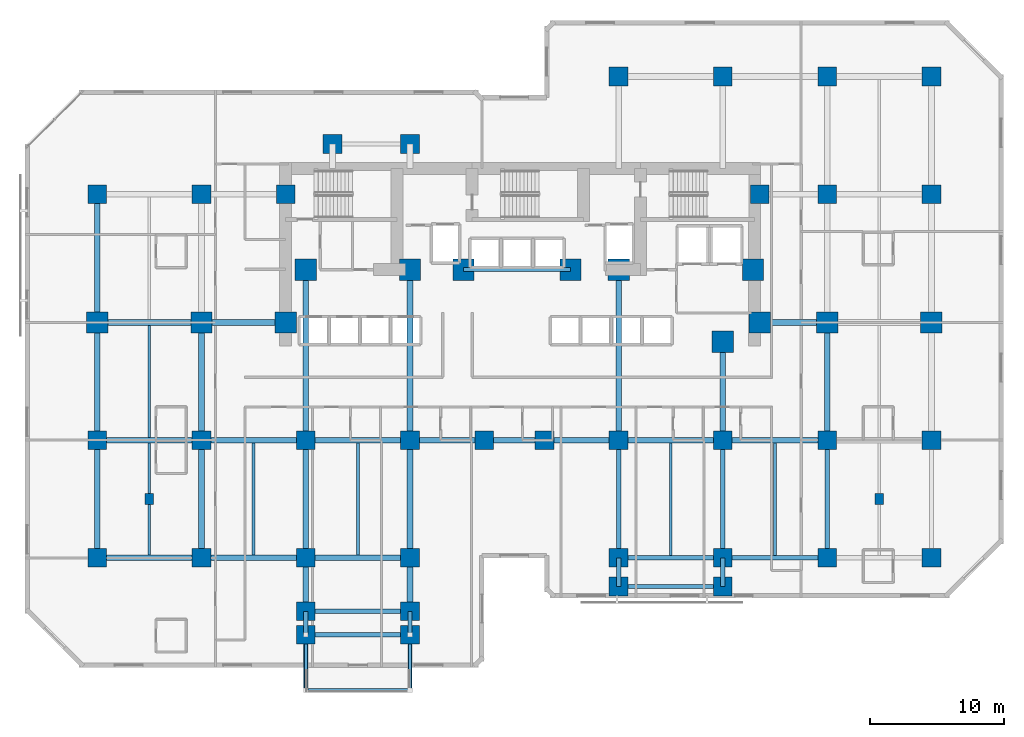
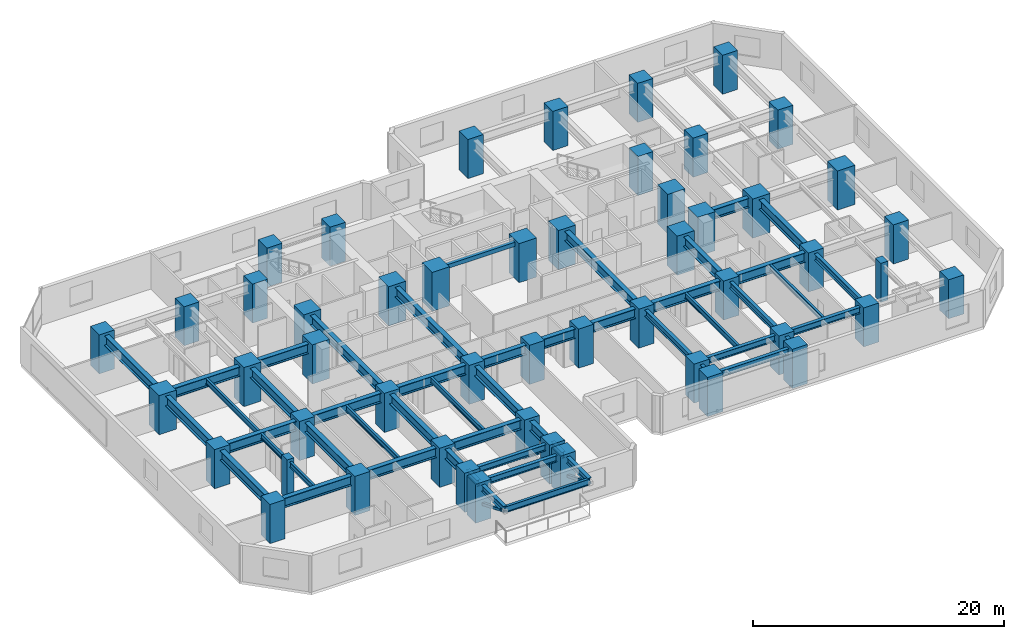
# One storey, part 1 of 12: 51 columns, 50 beams, 2 members.
"""IFC4 building model written with IfcOpenShell, lengths in metres."""

from ifc_helpers import new_model, si_unit, direction, frame, origin, origin_2d, place, context, subcontext, project, spatial, rectangle, hollow_rectangle, i_section, extrude, material, material_profile, profile_set, type_object, element, save


model = new_model("IFC4")

# Units and contexts
model_context = context("Model", 3, precision=1e-05, world=origin(), true_north=direction((0.0, 1.0)))
body_context = subcontext(model_context, "Body", "Model", "MODEL_VIEW")
ifc_project = project(units=[si_unit("LENGTHUNIT", "METRE"), si_unit("AREAUNIT", "SQUARE_METRE"), si_unit("VOLUMEUNIT", "CUBIC_METRE"), si_unit("PLANEANGLEUNIT", "RADIAN"), si_unit("MASSUNIT", "GRAM", prefix="KILO")], contexts=[model_context])

# Site, building, storey
site_placement = place(None, origin())
site = spatial("IfcSite", under=ifc_project, at=site_placement, CompositionType="ELEMENT")
building_placement = place(site_placement, origin())
building = spatial("IfcBuilding", under=site, at=building_placement, Name="Kestravale Grand Hotel", CompositionType="ELEMENT")
storey_placement = place(building_placement, frame((0.0, 0.0, 33.60009765625)))
storey = spatial("IfcBuildingStorey", under=building, at=storey_placement, Name="L07", CompositionType="ELEMENT", Elevation=33.60009765625)

# Columns
ifc_material_1 = material(Name="Concrete f'c 70 MPa", Category="concrete")
ifc_material_profile_1 = material_profile(ifc_material_1, rectangle(XDim=1.39990234375, YDim=1.39990234375, at=origin_2d()))
ifc_profile_set_1 = profile_set([ifc_material_profile_1], Name="Concrete f'c 70 MPa")
column_type_1 = type_object("IfcColumnType", Name="C-Z1-1400", PredefinedType="COLUMN", material=ifc_profile_set_1)
for number, where, z_axis, x_axis, name in (
    (1, (7.800048828125, 11.199951171875, 0.0), (0.0, 0.0, 1.0), (1.0, 0.0, 0.0), "L07 column 2-C"),
    (2, (7.800048828125, 20.0, 0.0), (0.0, 0.0, 1.0), (1.0, 0.0, 0.0), "L07 column 2-D"),
    (3, (7.800048828125, 38.39990234375, 0.0), (0.0, 0.0, 1.0), (1.0, 0.0, 0.0), "L07 column 2-F"),
    (4, (15.60009765625, 11.199951171875, 0.0), (0.0, 0.0, 1.0), (1.0, 0.0, 0.0), "L07 column 3-C"),
    (5, (15.60009765625, 20.0, 0.0), (0.0, 0.0, 1.0), (1.0, 0.0, 0.0), "L07 column 3-D"),
    (6, (15.60009765625, 38.39990234375, 0.0), (0.0, 0.0, 1.0), (1.0, 0.0, 0.0), "L07 column 3-F"),
    (7, (23.39990234375, 11.199951171875, 0.0), (0.0, 0.0, 1.0), (1.0, 0.0, 0.0), "L07 column 4-C"),
    (8, (23.39990234375, 20.0, 0.0), (0.0, 0.0, 1.0), (1.0, 0.0, 0.0), "L07 column 4-D"),
    (9, (31.199951171875, 11.199951171875, 0.0), (0.0, 0.0, 1.0), (1.0, 0.0, 0.0), "L07 column 5-C"),
    (10, (31.199951171875, 20.0, 0.0), (0.0, 0.0, 1.0), (1.0, 0.0, 0.0), "L07 column 5-D"),
    (11, (36.75, 20.0, 0.0), (0.0, 0.0, 1.0), (1.0, 0.0, 0.0), "L07 column 6-D"),
    (12, (41.25, 20.0, 0.0), (0.0, 0.0, 1.0), (1.0, 0.0, 0.0), "L07 column 7-D"),
    (13, (46.800048828125, 11.199951171875, 0.0), (0.0, 0.0, 1.0), (1.0, 0.0, 0.0), "L07 column 8-C"),
    (14, (46.800048828125, 20.0, 0.0), (0.0, 0.0, 1.0), (1.0, 0.0, 0.0), "L07 column 8-D"),
    (15, (46.800048828125, 47.199951171875, 0.0), (0.0, 0.0, 1.0), (1.0, 0.0, 0.0), "L07 column 8-G"),
    (16, (54.60009765625, 11.199951171875, 0.0), (0.0, 0.0, 1.0), (1.0, 0.0, 0.0), "L07 column 9-C"),
    (17, (54.60009765625, 20.0, 0.0), (0.0, 0.0, 1.0), (1.0, 0.0, 0.0), "L07 column 9-D"),
    (18, (54.60009765625, 47.199951171875, 0.0), (0.0, 0.0, 1.0), (1.0, 0.0, 0.0), "L07 column 9-G"),
    (19, (62.39990234375, 11.199951171875, 0.0), (0.0, 0.0, 1.0), (1.0, 0.0, 0.0), "L07 column 10-C"),
    (20, (62.39990234375, 20.0, 0.0), (0.0, 0.0, 1.0), (1.0, 0.0, 0.0), "L07 column 10-D"),
    (21, (62.39990234375, 38.39990234375, 0.0), (0.0, 0.0, 1.0), (1.0, 0.0, 0.0), "L07 column 10-F"),
    (22, (62.39990234375, 47.199951171875, 0.0), (0.0, 0.0, 1.0), (1.0, 0.0, 0.0), "L07 column 10-G"),
    (23, (70.199951171875, 11.199951171875, 0.0), (0.0, 0.0, 1.0), (1.0, 0.0, 0.0), "L07 column 11-C"),
    (24, (70.199951171875, 20.0, 0.0), (0.0, 0.0, 1.0), (1.0, 0.0, 0.0), "L07 column 11-D"),
    (25, (70.199951171875, 38.39990234375, 0.0), (0.0, 0.0, 1.0), (1.0, 0.0, 0.0), "L07 column 11-F"),
    (26, (70.199951171875, 47.199951171875, 0.0), (0.0, 0.0, 1.0), (1.0, 0.0, 0.0), "L07 column 11-G"),
    (27, (21.89990234375, 38.39990234375, 0.0), (0.0, 0.0, 1.0), (1.0, 0.0, 0.0), "L07 column CW-F"),
    (28, (57.35009765625, 38.39990234375, 0.0), (0.0, 0.0, 1.0), (1.0, 0.0, 0.0), "L07 column CE-F"),
    (29, (23.39990234375, 7.199951171875, 0.0), (0.0, 0.0, 1.0), (1.0, 0.0, 0.0), "L07 column 4-BS"),
    (30, (31.199951171875, 7.199951171875, 0.0), (0.0, 0.0, 1.0), (1.0, 0.0, 0.0), "L07 column 5-BS"),
    (31, (25.39990234375, 42.14990234375, 0.0), (0.0, 0.0, 1.0), (1.0, 0.0, 0.0), "L07 column 4-FN"),
    (32, (31.199951171875, 42.14990234375, 0.0), (0.0, 0.0, 1.0), (1.0, 0.0, 0.0), "L07 column 5-FN"),
    (33, (23.39990234375, 5.449951171875, 0.0), (0.0, 0.0, 1.0), (1.0, 0.0, 0.0), "L07 column 4-B1S"),
    (34, (31.199951171875, 5.449951171875, 0.0), (0.0, 0.0, 1.0), (1.0, 0.0, 0.0), "L07 column 5-B1S"),
    (35, (46.800048828125, 9.050048828125, 0.0), (0.0, 0.0, 1.0), (1.0, 0.0, 0.0), "L07 column 8-B1E"),
    (36, (54.60009765625, 9.050048828125, 0.0), (0.0, 0.0, 1.0), (1.0, 0.0, 0.0), "L07 column 9-B1E"),
):
    element("IfcColumn", number, at=place(storey_placement, frame(where, z_axis=z_axis, x_axis=x_axis)), inside=storey, type_object=column_type_1, Name=name, PredefinedType="COLUMN", context=body_context, shape_type="SweptSolid", body=[
        extrude(rectangle(XDim=1.39990234375, YDim=1.39990234375, at=origin_2d()), origin(), (0.0, 0.0, 1.0), 3.7998046875),
    ])
ifc_material_2 = material(Name="Concrete f'c 70 MPa", Category="concrete")
ifc_material_profile_2 = material_profile(ifc_material_2, rectangle(XDim=1.60009765625, YDim=1.60009765625, at=origin_2d()))
ifc_profile_set_2 = profile_set([ifc_material_profile_2], Name="Concrete f'c 70 MPa")
column_type_2 = type_object("IfcColumnType", Name="C-Z1-1600", PredefinedType="COLUMN", material=ifc_profile_set_2)
for number, where, z_axis, x_axis, name in (
    (37, (7.800048828125, 28.800048828125, 0.0), (0.0, 0.0, 1.0), (1.0, 0.0, 0.0), "L07 column 2-E"),
    (38, (15.60009765625, 28.800048828125, 0.0), (0.0, 0.0, 1.0), (1.0, 0.0, 0.0), "L07 column 3-E"),
    (39, (62.39990234375, 28.800048828125, 0.0), (0.0, 0.0, 1.0), (1.0, 0.0, 0.0), "L07 column 10-E"),
    (40, (70.199951171875, 28.800048828125, 0.0), (0.0, 0.0, 1.0), (1.0, 0.0, 0.0), "L07 column 11-E"),
    (41, (21.89990234375, 28.800048828125, 0.0), (0.0, 0.0, 1.0), (1.0, 0.0, 0.0), "L07 column CW-E"),
    (42, (57.35009765625, 28.800048828125, 0.0), (0.0, 0.0, 1.0), (1.0, 0.0, 0.0), "L07 column CE-E"),
    (43, (23.39990234375, 32.75, 0.0), (0.0, 0.0, 1.0), (1.0, 0.0, 0.0), "L07 column 4-CS"),
    (44, (31.199951171875, 32.75, 0.0), (0.0, 0.0, 1.0), (1.0, 0.0, 0.0), "L07 column 5-CS"),
    (45, (35.199951171875, 32.75, 0.0), (0.0, 0.0, 1.0), (1.0, 0.0, 0.0), "L07 column 6C-CS"),
    (46, (43.199951171875, 32.75, 0.0), (0.0, 0.0, 1.0), (1.0, 0.0, 0.0), "L07 column 7C-CS"),
    (47, (46.800048828125, 32.75, 0.0), (0.0, 0.0, 1.0), (1.0, 0.0, 0.0), "L07 column 8-CS"),
    (48, (54.60009765625, 27.35009765625, 0.0), (0.0, 0.0, 1.0), (1.0, 0.0, 0.0), "L07 column 9-CS"),
    (49, (56.85009765625, 32.75, 0.0), (0.0, 0.0, 1.0), (1.0, 0.0, 0.0), "L07 column 9C-CS"),
):
    element("IfcColumn", number, at=place(storey_placement, frame(where, z_axis=z_axis, x_axis=x_axis)), inside=storey, type_object=column_type_2, Name=name, PredefinedType="COLUMN", context=body_context, shape_type="SweptSolid", body=[
        extrude(rectangle(XDim=1.60009765625, YDim=1.60009765625, at=origin_2d()), origin(), (0.0, 0.0, 1.0), 3.7998046875),
    ])
ifc_material_3 = material(Name="Precast concrete f'c 45 MPa", Category="concrete")
ifc_material_profile_3 = material_profile(ifc_material_3, rectangle(XDim=0.64990234375, YDim=0.85009765625, at=origin_2d()))
ifc_profile_set_3 = profile_set([ifc_material_profile_3], Name="Precast concrete f'c 45 MPa")
column_type_3 = type_object("IfcColumnType", Name="C-Z1-PIL850", PredefinedType="PILASTER", material=ifc_profile_set_3)
for number, where, z_axis, x_axis, name in (
    (50, (11.699951171875, 15.60009765625, 0.0), (0.0, 0.0, 1.0), (1.0, 0.0, 0.0), "L07 Art Deco fluted pilaster P1"),
    (51, (66.300048828125, 15.60009765625, 0.0), (0.0, 0.0, 1.0), (1.0, 0.0, 0.0), "L07 Art Deco fluted pilaster P2"),
):
    element("IfcColumn", number, at=place(storey_placement, frame(where, z_axis=z_axis, x_axis=x_axis)), inside=storey, type_object=column_type_3, Name=name, PredefinedType="PILASTER", context=body_context, shape_type="SweptSolid", body=[
        extrude(rectangle(XDim=0.64990234375, YDim=0.85009765625, at=origin_2d()), origin(), (0.0, 0.0, 1.0), 3.7998046875),
    ])

# Beams
ifc_material_4 = material(Name="Steel ASTM A992 Grade 50", Category="steel")
ifc_material_profile_4 = material_profile(ifc_material_4, i_section(OverallWidth=0.2099609375, OverallDepth=0.535888671875, WebThickness=0.010986328125, FlangeThickness=0.017333984375, FilletRadius=0.017578125, at=origin_2d()))
ifc_profile_set_4 = profile_set([ifc_material_profile_4], Name="Steel ASTM A992 Grade 50")
beam_type_1 = type_object("IfcBeamType", Name="B-FLR-JST21", PredefinedType="JOIST", material=ifc_profile_set_4)
for number, where, z_axis, x_axis, name in (
    (52, (11.699951171875, 11.412109375, 3.27197265625), (0.0, 1.0, 0.0), (-1.0, 0.0, 0.0), "L07 floor joist 2-3/C-D #1"),
    (53, (11.699951171875, 20.2119140625, 3.27197265625), (0.0, 1.0, 0.0), (-1.0, 0.0, 0.0), "L07 floor joist 2-3/D-E #1"),
    (54, (19.5, 11.412109375, 3.27197265625), (0.0, 1.0, 0.0), (-1.0, 0.0, 0.0), "L07 floor joist 3-4/C-D #1"),
    (55, (27.300048828125, 11.412109375, 3.27197265625), (0.0, 1.0, 0.0), (-1.0, 0.0, 0.0), "L07 floor joist 4-5/C-D #1"),
):
    element("IfcBeam", number, at=place(storey_placement, frame(where, z_axis=z_axis, x_axis=x_axis)), inside=storey, type_object=beam_type_1, Name=name, PredefinedType="JOIST", context=body_context, shape_type="SweptSolid", body=[
        extrude(i_section(OverallWidth=0.2099609375, OverallDepth=0.535888671875, WebThickness=0.010986328125, FlangeThickness=0.017333984375, FilletRadius=0.017578125, at=origin_2d()), origin(), (0.0, 0.0, 1.0), 8.3759765625),
    ])
for number, where, z_axis, x_axis, name in (
    (56, (50.699951171875, 11.362548828125, 3.27197265625), (0.0, 1.0, 0.0), (-1.0, 0.0, 0.0), "L07 floor joist 8-9/C-D #1"),
    (57, (58.5, 11.362548828125, 3.27197265625), (0.0, 1.0, 0.0), (-1.0, 0.0, 0.0), "L07 floor joist 9-10/C-D #1"),
):
    element("IfcBeam", number, at=place(storey_placement, frame(where, z_axis=z_axis, x_axis=x_axis)), inside=storey, type_object=beam_type_1, Name=name, PredefinedType="JOIST", context=body_context, shape_type="SweptSolid", body=[
        extrude(i_section(OverallWidth=0.2099609375, OverallDepth=0.535888671875, WebThickness=0.010986328125, FlangeThickness=0.017333984375, FilletRadius=0.017578125, at=origin_2d()), origin(), (0.0, 0.0, 1.0), 8.425537109375),
    ])
ifc_material_5 = material(Name="Concrete f'c 45 MPa", Category="concrete")
ifc_material_profile_5 = material_profile(ifc_material_5, rectangle(XDim=0.300048828125, YDim=0.39990234375, at=origin_2d()))
ifc_profile_set_5 = profile_set([ifc_material_profile_5], Name="Concrete f'c 45 MPa")
beam_type_2 = type_object("IfcBeamType", Name="B-FLR-LNT400", PredefinedType="LINTEL", material=ifc_profile_set_5)
beam_1_placement = place(storey_placement, frame((35.199951171875, 32.75, 3.33984375), z_axis=(1.0, 0.0, 0.0), x_axis=(0.0, 1.0, 0.0)))
element("IfcBeam", 58, at=beam_1_placement, inside=storey, type_object=beam_type_2, Name="L07 core portal header lintel", PredefinedType="LINTEL", context=body_context, shape_type="SweptSolid", body=[
    extrude(rectangle(XDim=0.300048828125, YDim=0.39990234375, at=origin_2d()), origin(), (0.0, 0.0, 1.0), 8.0),
])
ifc_material_6 = material(Name="Steel ASTM A992 Grade 50", Category="steel")
ifc_material_profile_6 = material_profile(ifc_material_6, i_section(OverallWidth=0.324951171875, OverallDepth=0.612060546875, WebThickness=0.0126953125, FlangeThickness=0.01904296875, FilletRadius=0.018798828125, at=origin_2d()))
ifc_profile_set_6 = profile_set([ifc_material_profile_6], Name="Steel ASTM A992 Grade 50")
beam_type_3 = type_object("IfcBeamType", Name="B-FLR-W24A", PredefinedType="SPANDREL", material=ifc_profile_set_6)
beam_2_placement = place(storey_placement, frame((46.800048828125, 11.199951171875, 3.23388671875), z_axis=(1.0, 0.0, 0.0), x_axis=(0.0, 1.0, 0.0)))
element("IfcBeam", 59, at=beam_2_placement, inside=storey, type_object=beam_type_3, Name="L07 spandrel C:8-9", PredefinedType="SPANDREL", context=body_context, shape_type="SweptSolid", body=[
    extrude(i_section(OverallWidth=0.324951171875, OverallDepth=0.612060546875, WebThickness=0.0126953125, FlangeThickness=0.01904296875, FilletRadius=0.018798828125, at=origin_2d()), origin(), (0.0, 0.0, 1.0), 7.800048828125),
])
beam_3_placement = place(storey_placement, frame((54.60009765625, 11.199951171875, 3.23388671875), z_axis=(1.0, 0.0, 0.0), x_axis=(0.0, 1.0, 0.0)))
element("IfcBeam", 60, at=beam_3_placement, inside=storey, type_object=beam_type_3, Name="L07 spandrel C:9-10", PredefinedType="SPANDREL", context=body_context, shape_type="SweptSolid", body=[
    extrude(i_section(OverallWidth=0.324951171875, OverallDepth=0.612060546875, WebThickness=0.0126953125, FlangeThickness=0.01904296875, FilletRadius=0.018798828125, at=origin_2d()), origin(), (0.0, 0.0, 1.0), 7.7998046875),
])
for number, where, z_axis, x_axis, name in (
    (61, (23.39990234375, 5.449951171875, 3.23388671875), (1.0, 0.0, 0.0), (0.0, 1.0, 0.0), "L07 perimeter tie spandrel B1S:4-5"),
    (62, (46.800048828125, 9.050048828125, 3.23388671875), (1.0, 0.0, 0.0), (0.0, 1.0, 0.0), "L07 perimeter tie spandrel B1E:8-9"),
    (63, (23.39990234375, 7.199951171875, 3.23388671875), (1.0, 0.0, 0.0), (0.0, 1.0, 0.0), "L07 perimeter tie spandrel BS:4-5"),
):
    element("IfcBeam", number, at=place(storey_placement, frame(where, z_axis=z_axis, x_axis=x_axis)), inside=storey, type_object=beam_type_3, Name=name, PredefinedType="SPANDREL", context=body_context, shape_type="SweptSolid", body=[
        extrude(i_section(OverallWidth=0.324951171875, OverallDepth=0.612060546875, WebThickness=0.0126953125, FlangeThickness=0.01904296875, FilletRadius=0.018798828125, at=origin_2d()), origin(), (0.0, 0.0, 1.0), 7.800048828125),
    ])
for number, where, z_axis, x_axis, name in (
    (64, (23.39990234375, 5.449951171875, 3.23388671875), (0.0, 1.0, 0.0), (-1.0, 0.0, 0.0), "L07 spandrel 4:B1S-BS"),
    (65, (31.199951171875, 5.449951171875, 3.23388671875), (0.0, 1.0, 0.0), (-1.0, 0.0, 0.0), "L07 spandrel 5:B1S-BS"),
):
    element("IfcBeam", number, at=place(storey_placement, frame(where, z_axis=z_axis, x_axis=x_axis)), inside=storey, type_object=beam_type_3, Name=name, PredefinedType="SPANDREL", context=body_context, shape_type="SweptSolid", body=[
        extrude(i_section(OverallWidth=0.324951171875, OverallDepth=0.612060546875, WebThickness=0.0126953125, FlangeThickness=0.01904296875, FilletRadius=0.018798828125, at=origin_2d()), origin(), (0.0, 0.0, 1.0), 1.75),
    ])
beam_4_placement = place(storey_placement, frame((46.800048828125, 9.050048828125, 3.23388671875), z_axis=(0.0, 1.0, 0.0), x_axis=(-1.0, 0.0, 0.0)))
element("IfcBeam", 66, at=beam_4_placement, inside=storey, type_object=beam_type_3, Name="L07 spandrel 8:B1E-C", PredefinedType="SPANDREL", context=body_context, shape_type="SweptSolid", body=[
    extrude(i_section(OverallWidth=0.324951171875, OverallDepth=0.612060546875, WebThickness=0.0126953125, FlangeThickness=0.01904296875, FilletRadius=0.018798828125, at=origin_2d()), origin(), (0.0, 0.0, 1.0), 2.14990234375),
])
beam_5_placement = place(storey_placement, frame((46.800048828125, 11.199951171875, 3.23388671875), z_axis=(0.0, 1.0, 0.0), x_axis=(-1.0, 0.0, 0.0)))
element("IfcBeam", 67, at=beam_5_placement, inside=storey, type_object=beam_type_3, Name="L07 spandrel 8:C-D", PredefinedType="SPANDREL", context=body_context, shape_type="SweptSolid", body=[
    extrude(i_section(OverallWidth=0.324951171875, OverallDepth=0.612060546875, WebThickness=0.0126953125, FlangeThickness=0.01904296875, FilletRadius=0.018798828125, at=origin_2d()), origin(), (0.0, 0.0, 1.0), 8.800048828125),
])
beam_6_placement = place(storey_placement, frame((54.60009765625, 9.050048828125, 3.23388671875), z_axis=(0.0, 1.0, 0.0), x_axis=(-1.0, 0.0, 0.0)))
element("IfcBeam", 68, at=beam_6_placement, inside=storey, type_object=beam_type_3, Name="L07 spandrel 9:B1E-C", PredefinedType="SPANDREL", context=body_context, shape_type="SweptSolid", body=[
    extrude(i_section(OverallWidth=0.324951171875, OverallDepth=0.612060546875, WebThickness=0.0126953125, FlangeThickness=0.01904296875, FilletRadius=0.018798828125, at=origin_2d()), origin(), (0.0, 0.0, 1.0), 2.14990234375),
])
for number, where, z_axis, x_axis, name in (
    (69, (54.60009765625, 11.199951171875, 3.23388671875), (0.0, 1.0, 0.0), (-1.0, 0.0, 0.0), "L07 spandrel 9:C-D"),
    (70, (62.39990234375, 11.199951171875, 3.23388671875), (0.0, 1.0, 0.0), (-1.0, 0.0, 0.0), "L07 spandrel 10:C-D"),
):
    element("IfcBeam", number, at=place(storey_placement, frame(where, z_axis=z_axis, x_axis=x_axis)), inside=storey, type_object=beam_type_3, Name=name, PredefinedType="SPANDREL", context=body_context, shape_type="SweptSolid", body=[
        extrude(i_section(OverallWidth=0.324951171875, OverallDepth=0.612060546875, WebThickness=0.0126953125, FlangeThickness=0.01904296875, FilletRadius=0.018798828125, at=origin_2d()), origin(), (0.0, 0.0, 1.0), 8.800048828125),
    ])
for number, where, z_axis, x_axis, name in (
    (71, (23.39990234375, 5.449951171875, 3.223876953125), (0.0, -1.0, 0.0), (1.0, 0.0, 0.0), "L08 terrace cantilever beam 1"),
    (72, (31.199951171875, 5.449951171875, 3.223876953125), (0.0, -1.0, 0.0), (1.0, 0.0, 0.0), "L08 terrace cantilever beam 2"),
):
    element("IfcBeam", number, at=place(storey_placement, frame(where, z_axis=z_axis, x_axis=x_axis)), inside=storey, type_object=beam_type_3, Name=name, PredefinedType="SPANDREL", context=body_context, shape_type="SweptSolid", body=[
        extrude(i_section(OverallWidth=0.324951171875, OverallDepth=0.612060546875, WebThickness=0.0126953125, FlangeThickness=0.01904296875, FilletRadius=0.018798828125, at=origin_2d()), origin(), (0.0, 0.0, 1.0), 4.14990234375),
    ])
ifc_material_7 = material(Name="Steel ASTM A992 Grade 50", Category="steel")
ifc_material_profile_7 = material_profile(ifc_material_7, i_section(OverallWidth=0.22900390625, OverallDepth=0.612060546875, WebThickness=0.011962890625, FlangeThickness=0.01953125, FilletRadius=0.019287109375, at=origin_2d()))
ifc_profile_set_7 = profile_set([ifc_material_profile_7], Name="Steel ASTM A992 Grade 50")
beam_type_4 = type_object("IfcBeamType", Name="B-FLR-W24B", PredefinedType="SPANDREL", material=ifc_profile_set_7)
beam_7_placement = place(storey_placement, frame((23.39990234375, 1.300048828125, 3.223876953125), z_axis=(1.0, 0.0, 0.0), x_axis=(0.0, 1.0, 0.0)))
element("IfcBeam", 73, at=beam_7_placement, inside=storey, type_object=beam_type_4, Name="L08 terrace edge spandrel", PredefinedType="SPANDREL", context=body_context, shape_type="SweptSolid", body=[
    extrude(i_section(OverallWidth=0.22900390625, OverallDepth=0.612060546875, WebThickness=0.011962890625, FlangeThickness=0.01953125, FilletRadius=0.019287109375, at=origin_2d()), origin(), (0.0, 0.0, 1.0), 7.800048828125),
])
ifc_material_8 = material(Name="Steel ASTM A992 Grade 50", Category="steel")
ifc_material_profile_8 = material_profile(ifc_material_8, i_section(OverallWidth=0.424072265625, OverallDepth=0.947021484375, WebThickness=0.02392578125, FlangeThickness=0.042724609375, FilletRadius=0.0283203125, at=origin_2d()))
ifc_profile_set_8 = profile_set([ifc_material_profile_8], Name="Steel ASTM A992 Grade 50")
beam_type_5 = type_object("IfcBeamType", Name="B-GRD-W36", PredefinedType="BEAM", material=ifc_profile_set_8)
beam_8_placement = place(storey_placement, frame((7.800048828125, 11.199951171875, 3.06640625), z_axis=(1.0, 0.0, 0.0), x_axis=(0.0, 1.0, 0.0)))
element("IfcBeam", 74, at=beam_8_placement, inside=storey, type_object=beam_type_5, Name="L07 girder C:2-3", PredefinedType="BEAM", context=body_context, shape_type="SweptSolid", body=[
    extrude(i_section(OverallWidth=0.424072265625, OverallDepth=0.947021484375, WebThickness=0.02392578125, FlangeThickness=0.042724609375, FilletRadius=0.0283203125, at=origin_2d()), origin(), (0.0, 0.0, 1.0), 7.800048828125),
])
beam_9_placement = place(storey_placement, frame((15.60009765625, 11.199951171875, 3.06640625), z_axis=(1.0, 0.0, 0.0), x_axis=(0.0, 1.0, 0.0)))
element("IfcBeam", 75, at=beam_9_placement, inside=storey, type_object=beam_type_5, Name="L07 girder C:3-4", PredefinedType="BEAM", context=body_context, shape_type="SweptSolid", body=[
    extrude(i_section(OverallWidth=0.424072265625, OverallDepth=0.947021484375, WebThickness=0.02392578125, FlangeThickness=0.042724609375, FilletRadius=0.0283203125, at=origin_2d()), origin(), (0.0, 0.0, 1.0), 7.7998046875),
])
for number, where, z_axis, x_axis, name in (
    (76, (23.39990234375, 11.199951171875, 3.06640625), (1.0, 0.0, 0.0), (0.0, 1.0, 0.0), "L07 girder C:4-5"),
    (77, (7.800048828125, 20.0, 3.06640625), (1.0, 0.0, 0.0), (0.0, 1.0, 0.0), "L07 girder D:2-3"),
):
    element("IfcBeam", number, at=place(storey_placement, frame(where, z_axis=z_axis, x_axis=x_axis)), inside=storey, type_object=beam_type_5, Name=name, PredefinedType="BEAM", context=body_context, shape_type="SweptSolid", body=[
        extrude(i_section(OverallWidth=0.424072265625, OverallDepth=0.947021484375, WebThickness=0.02392578125, FlangeThickness=0.042724609375, FilletRadius=0.0283203125, at=origin_2d()), origin(), (0.0, 0.0, 1.0), 7.800048828125),
    ])
beam_10_placement = place(storey_placement, frame((15.60009765625, 20.0, 3.06640625), z_axis=(1.0, 0.0, 0.0), x_axis=(0.0, 1.0, 0.0)))
element("IfcBeam", 78, at=beam_10_placement, inside=storey, type_object=beam_type_5, Name="L07 girder D:3-4", PredefinedType="BEAM", context=body_context, shape_type="SweptSolid", body=[
    extrude(i_section(OverallWidth=0.424072265625, OverallDepth=0.947021484375, WebThickness=0.02392578125, FlangeThickness=0.042724609375, FilletRadius=0.0283203125, at=origin_2d()), origin(), (0.0, 0.0, 1.0), 7.7998046875),
])
beam_11_placement = place(storey_placement, frame((23.39990234375, 20.0, 3.06640625), z_axis=(1.0, 0.0, 0.0), x_axis=(0.0, 1.0, 0.0)))
element("IfcBeam", 79, at=beam_11_placement, inside=storey, type_object=beam_type_5, Name="L07 girder D:4-5", PredefinedType="BEAM", context=body_context, shape_type="SweptSolid", body=[
    extrude(i_section(OverallWidth=0.424072265625, OverallDepth=0.947021484375, WebThickness=0.02392578125, FlangeThickness=0.042724609375, FilletRadius=0.0283203125, at=origin_2d()), origin(), (0.0, 0.0, 1.0), 7.800048828125),
])
beam_12_placement = place(storey_placement, frame((31.199951171875, 20.0, 3.06640625), z_axis=(1.0, 0.0, 0.0), x_axis=(0.0, 1.0, 0.0)))
element("IfcBeam", 80, at=beam_12_placement, inside=storey, type_object=beam_type_5, Name="L07 girder D:5-6", PredefinedType="BEAM", context=body_context, shape_type="SweptSolid", body=[
    extrude(i_section(OverallWidth=0.424072265625, OverallDepth=0.947021484375, WebThickness=0.02392578125, FlangeThickness=0.042724609375, FilletRadius=0.0283203125, at=origin_2d()), origin(), (0.0, 0.0, 1.0), 5.550048828125),
])
beam_13_placement = place(storey_placement, frame((36.75, 20.0, 3.06640625), z_axis=(1.0, 0.0, 0.0), x_axis=(0.0, 1.0, 0.0)))
element("IfcBeam", 81, at=beam_13_placement, inside=storey, type_object=beam_type_5, Name="L07 girder D:6-7", PredefinedType="BEAM", context=body_context, shape_type="SweptSolid", body=[
    extrude(i_section(OverallWidth=0.424072265625, OverallDepth=0.947021484375, WebThickness=0.02392578125, FlangeThickness=0.042724609375, FilletRadius=0.0283203125, at=origin_2d()), origin(), (0.0, 0.0, 1.0), 4.5),
])
beam_14_placement = place(storey_placement, frame((41.25, 20.0, 3.06640625), z_axis=(1.0, 0.0, 0.0), x_axis=(0.0, 1.0, 0.0)))
element("IfcBeam", 82, at=beam_14_placement, inside=storey, type_object=beam_type_5, Name="L07 girder D:7-8", PredefinedType="BEAM", context=body_context, shape_type="SweptSolid", body=[
    extrude(i_section(OverallWidth=0.424072265625, OverallDepth=0.947021484375, WebThickness=0.02392578125, FlangeThickness=0.042724609375, FilletRadius=0.0283203125, at=origin_2d()), origin(), (0.0, 0.0, 1.0), 5.550048828125),
])
beam_15_placement = place(storey_placement, frame((46.800048828125, 20.0, 3.06640625), z_axis=(1.0, 0.0, 0.0), x_axis=(0.0, 1.0, 0.0)))
element("IfcBeam", 83, at=beam_15_placement, inside=storey, type_object=beam_type_5, Name="L07 girder D:8-9", PredefinedType="BEAM", context=body_context, shape_type="SweptSolid", body=[
    extrude(i_section(OverallWidth=0.424072265625, OverallDepth=0.947021484375, WebThickness=0.02392578125, FlangeThickness=0.042724609375, FilletRadius=0.0283203125, at=origin_2d()), origin(), (0.0, 0.0, 1.0), 7.800048828125),
])
beam_16_placement = place(storey_placement, frame((54.60009765625, 20.0, 3.06640625), z_axis=(1.0, 0.0, 0.0), x_axis=(0.0, 1.0, 0.0)))
element("IfcBeam", 84, at=beam_16_placement, inside=storey, type_object=beam_type_5, Name="L07 girder D:9-10", PredefinedType="BEAM", context=body_context, shape_type="SweptSolid", body=[
    extrude(i_section(OverallWidth=0.424072265625, OverallDepth=0.947021484375, WebThickness=0.02392578125, FlangeThickness=0.042724609375, FilletRadius=0.0283203125, at=origin_2d()), origin(), (0.0, 0.0, 1.0), 7.7998046875),
])
beam_17_placement = place(storey_placement, frame((7.800048828125, 28.800048828125, 3.06640625), z_axis=(1.0, 0.0, 0.0), x_axis=(0.0, 1.0, 0.0)))
element("IfcBeam", 85, at=beam_17_placement, inside=storey, type_object=beam_type_5, Name="L07 girder E:2-3", PredefinedType="BEAM", context=body_context, shape_type="SweptSolid", body=[
    extrude(i_section(OverallWidth=0.424072265625, OverallDepth=0.947021484375, WebThickness=0.02392578125, FlangeThickness=0.042724609375, FilletRadius=0.0283203125, at=origin_2d()), origin(), (0.0, 0.0, 1.0), 7.800048828125),
])
beam_18_placement = place(storey_placement, frame((15.60009765625, 28.800048828125, 3.06640625), z_axis=(1.0, 0.0, 0.0), x_axis=(0.0, 1.0, 0.0)))
element("IfcBeam", 86, at=beam_18_placement, inside=storey, type_object=beam_type_5, Name="L07 girder E:3-CW", PredefinedType="BEAM", context=body_context, shape_type="SweptSolid", body=[
    extrude(i_section(OverallWidth=0.424072265625, OverallDepth=0.947021484375, WebThickness=0.02392578125, FlangeThickness=0.042724609375, FilletRadius=0.0283203125, at=origin_2d()), origin(), (0.0, 0.0, 1.0), 6.2998046875),
])
beam_19_placement = place(storey_placement, frame((57.35009765625, 28.800048828125, 3.06640625), z_axis=(1.0, 0.0, 0.0), x_axis=(0.0, 1.0, 0.0)))
element("IfcBeam", 87, at=beam_19_placement, inside=storey, type_object=beam_type_5, Name="L07 girder E:CE-10", PredefinedType="BEAM", context=body_context, shape_type="SweptSolid", body=[
    extrude(i_section(OverallWidth=0.424072265625, OverallDepth=0.947021484375, WebThickness=0.02392578125, FlangeThickness=0.042724609375, FilletRadius=0.0283203125, at=origin_2d()), origin(), (0.0, 0.0, 1.0), 5.0498046875),
])
for number, where, z_axis, x_axis, name in (
    (88, (7.800048828125, 11.199951171875, 3.06640625), (0.0, 1.0, 0.0), (-1.0, 0.0, 0.0), "L07 girder 2:C-D"),
    (89, (7.800048828125, 20.0, 3.06640625), (0.0, 1.0, 0.0), (-1.0, 0.0, 0.0), "L07 girder 2:D-E"),
):
    element("IfcBeam", number, at=place(storey_placement, frame(where, z_axis=z_axis, x_axis=x_axis)), inside=storey, type_object=beam_type_5, Name=name, PredefinedType="BEAM", context=body_context, shape_type="SweptSolid", body=[
        extrude(i_section(OverallWidth=0.424072265625, OverallDepth=0.947021484375, WebThickness=0.02392578125, FlangeThickness=0.042724609375, FilletRadius=0.0283203125, at=origin_2d()), origin(), (0.0, 0.0, 1.0), 8.800048828125),
    ])
beam_20_placement = place(storey_placement, frame((7.800048828125, 28.800048828125, 3.06640625), z_axis=(0.0, 1.0, 0.0), x_axis=(-1.0, 0.0, 0.0)))
element("IfcBeam", 90, at=beam_20_placement, inside=storey, type_object=beam_type_5, Name="L07 girder 2:E-F", PredefinedType="BEAM", context=body_context, shape_type="SweptSolid", body=[
    extrude(i_section(OverallWidth=0.424072265625, OverallDepth=0.947021484375, WebThickness=0.02392578125, FlangeThickness=0.042724609375, FilletRadius=0.0283203125, at=origin_2d()), origin(), (0.0, 0.0, 1.0), 9.599853515625),
])
for number, where, z_axis, x_axis, name in (
    (91, (15.60009765625, 11.199951171875, 3.06640625), (0.0, 1.0, 0.0), (-1.0, 0.0, 0.0), "L07 girder 3:C-D"),
    (92, (15.60009765625, 20.0, 3.06640625), (0.0, 1.0, 0.0), (-1.0, 0.0, 0.0), "L07 girder 3:D-E"),
):
    element("IfcBeam", number, at=place(storey_placement, frame(where, z_axis=z_axis, x_axis=x_axis)), inside=storey, type_object=beam_type_5, Name=name, PredefinedType="BEAM", context=body_context, shape_type="SweptSolid", body=[
        extrude(i_section(OverallWidth=0.424072265625, OverallDepth=0.947021484375, WebThickness=0.02392578125, FlangeThickness=0.042724609375, FilletRadius=0.0283203125, at=origin_2d()), origin(), (0.0, 0.0, 1.0), 8.800048828125),
    ])
beam_21_placement = place(storey_placement, frame((23.39990234375, 7.199951171875, 3.06640625), z_axis=(0.0, 1.0, 0.0), x_axis=(-1.0, 0.0, 0.0)))
element("IfcBeam", 93, at=beam_21_placement, inside=storey, type_object=beam_type_5, Name="L07 girder 4:BS-C", PredefinedType="BEAM", context=body_context, shape_type="SweptSolid", body=[
    extrude(i_section(OverallWidth=0.424072265625, OverallDepth=0.947021484375, WebThickness=0.02392578125, FlangeThickness=0.042724609375, FilletRadius=0.0283203125, at=origin_2d()), origin(), (0.0, 0.0, 1.0), 4.0),
])
beam_22_placement = place(storey_placement, frame((23.39990234375, 11.199951171875, 3.06640625), z_axis=(0.0, 1.0, 0.0), x_axis=(-1.0, 0.0, 0.0)))
element("IfcBeam", 94, at=beam_22_placement, inside=storey, type_object=beam_type_5, Name="L07 girder 4:C-D", PredefinedType="BEAM", context=body_context, shape_type="SweptSolid", body=[
    extrude(i_section(OverallWidth=0.424072265625, OverallDepth=0.947021484375, WebThickness=0.02392578125, FlangeThickness=0.042724609375, FilletRadius=0.0283203125, at=origin_2d()), origin(), (0.0, 0.0, 1.0), 8.800048828125),
])
beam_23_placement = place(storey_placement, frame((23.39990234375, 20.0, 3.06640625), z_axis=(0.0, 1.0, 0.0), x_axis=(-1.0, 0.0, 0.0)))
element("IfcBeam", 95, at=beam_23_placement, inside=storey, type_object=beam_type_5, Name="L07 girder 4:D-CS", PredefinedType="BEAM", context=body_context, shape_type="SweptSolid", body=[
    extrude(i_section(OverallWidth=0.424072265625, OverallDepth=0.947021484375, WebThickness=0.02392578125, FlangeThickness=0.042724609375, FilletRadius=0.0283203125, at=origin_2d()), origin(), (0.0, 0.0, 1.0), 12.75),
])
beam_24_placement = place(storey_placement, frame((31.199951171875, 7.199951171875, 3.06640625), z_axis=(0.0, 1.0, 0.0), x_axis=(-1.0, 0.0, 0.0)))
element("IfcBeam", 96, at=beam_24_placement, inside=storey, type_object=beam_type_5, Name="L07 girder 5:BS-C", PredefinedType="BEAM", context=body_context, shape_type="SweptSolid", body=[
    extrude(i_section(OverallWidth=0.424072265625, OverallDepth=0.947021484375, WebThickness=0.02392578125, FlangeThickness=0.042724609375, FilletRadius=0.0283203125, at=origin_2d()), origin(), (0.0, 0.0, 1.0), 4.0),
])
beam_25_placement = place(storey_placement, frame((31.199951171875, 11.199951171875, 3.06640625), z_axis=(0.0, 1.0, 0.0), x_axis=(-1.0, 0.0, 0.0)))
element("IfcBeam", 97, at=beam_25_placement, inside=storey, type_object=beam_type_5, Name="L07 girder 5:C-D", PredefinedType="BEAM", context=body_context, shape_type="SweptSolid", body=[
    extrude(i_section(OverallWidth=0.424072265625, OverallDepth=0.947021484375, WebThickness=0.02392578125, FlangeThickness=0.042724609375, FilletRadius=0.0283203125, at=origin_2d()), origin(), (0.0, 0.0, 1.0), 8.800048828125),
])
for number, where, z_axis, x_axis, name in (
    (98, (31.199951171875, 20.0, 3.06640625), (0.0, 1.0, 0.0), (-1.0, 0.0, 0.0), "L07 girder 5:D-CS"),
    (99, (46.800048828125, 20.0, 3.06640625), (0.0, 1.0, 0.0), (-1.0, 0.0, 0.0), "L07 girder 8:D-CS"),
):
    element("IfcBeam", number, at=place(storey_placement, frame(where, z_axis=z_axis, x_axis=x_axis)), inside=storey, type_object=beam_type_5, Name=name, PredefinedType="BEAM", context=body_context, shape_type="SweptSolid", body=[
        extrude(i_section(OverallWidth=0.424072265625, OverallDepth=0.947021484375, WebThickness=0.02392578125, FlangeThickness=0.042724609375, FilletRadius=0.0283203125, at=origin_2d()), origin(), (0.0, 0.0, 1.0), 12.75),
    ])
beam_26_placement = place(storey_placement, frame((54.60009765625, 20.0, 3.06640625), z_axis=(0.0, 1.0, 0.0), x_axis=(-1.0, 0.0, 0.0)))
element("IfcBeam", 100, at=beam_26_placement, inside=storey, type_object=beam_type_5, Name="L07 girder 9:D-CS", PredefinedType="BEAM", context=body_context, shape_type="SweptSolid", body=[
    extrude(i_section(OverallWidth=0.424072265625, OverallDepth=0.947021484375, WebThickness=0.02392578125, FlangeThickness=0.042724609375, FilletRadius=0.0283203125, at=origin_2d()), origin(), (0.0, 0.0, 1.0), 7.35009765625),
])
beam_27_placement = place(storey_placement, frame((62.39990234375, 20.0, 3.06640625), z_axis=(0.0, 1.0, 0.0), x_axis=(-1.0, 0.0, 0.0)))
element("IfcBeam", 101, at=beam_27_placement, inside=storey, type_object=beam_type_5, Name="L07 girder 10:D-E", PredefinedType="BEAM", context=body_context, shape_type="SweptSolid", body=[
    extrude(i_section(OverallWidth=0.424072265625, OverallDepth=0.947021484375, WebThickness=0.02392578125, FlangeThickness=0.042724609375, FilletRadius=0.0283203125, at=origin_2d()), origin(), (0.0, 0.0, 1.0), 8.800048828125),
])

# Members
ifc_material_9 = material(Name="Steel ASTM A500 Grade C", Category="steel")
ifc_material_profile_9 = material_profile(ifc_material_9, hollow_rectangle(XDim=0.25, YDim=0.25, WallThickness=0.011962890625, InnerFilletRadius=0.011962890625, OuterFilletRadius=0.02392578125, at=origin_2d()))
ifc_profile_set_9 = profile_set([ifc_material_profile_9], Name="Steel ASTM A500 Grade C")
member_type = type_object("IfcMemberType", Name="M-BLT-STR250", PredefinedType="STRUT", material=ifc_profile_set_9)
for number, where, z_axis, x_axis, name in (
    (102, (23.39990234375, 5.449951171875, 1.3740234375), (0.0, -0.925369949496, 0.379065240519), (1.0, 0.0, 0.0), "L08 terrace knee-brace strut 1"),
    (103, (31.199951171875, 5.449951171875, 1.3740234375), (0.0, -0.925369949496, 0.379065240519), (1.0, 0.0, 0.0), "L08 terrace knee-brace strut 2"),
):
    element("IfcMember", number, at=place(storey_placement, frame(where, z_axis=z_axis, x_axis=x_axis)), inside=storey, type_object=member_type, Name=name, PredefinedType="STRUT", context=body_context, shape_type="SweptSolid", body=[
        extrude(hollow_rectangle(XDim=0.25, YDim=0.25, WallThickness=0.011962890625, InnerFilletRadius=0.011962890625, OuterFilletRadius=0.02392578125, at=origin_2d()), origin(), (0.0, 0.0, 1.0), 4.484619140625),
    ])

save(model, "model.ifc")
